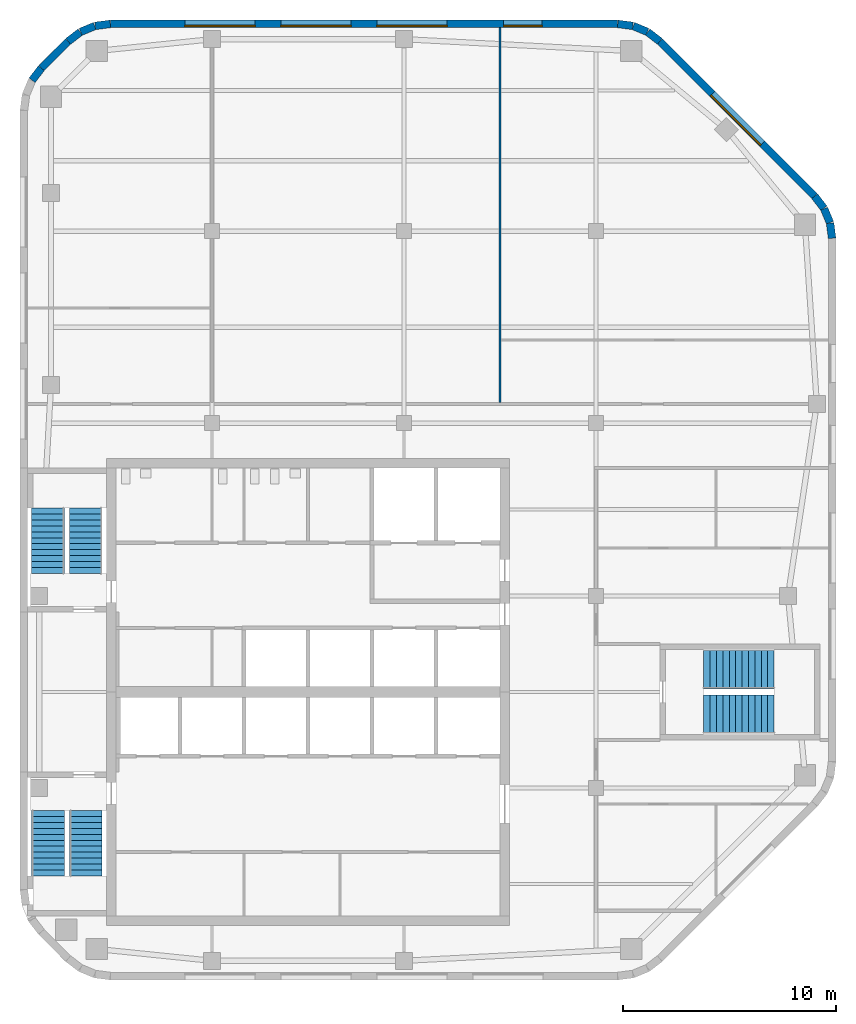
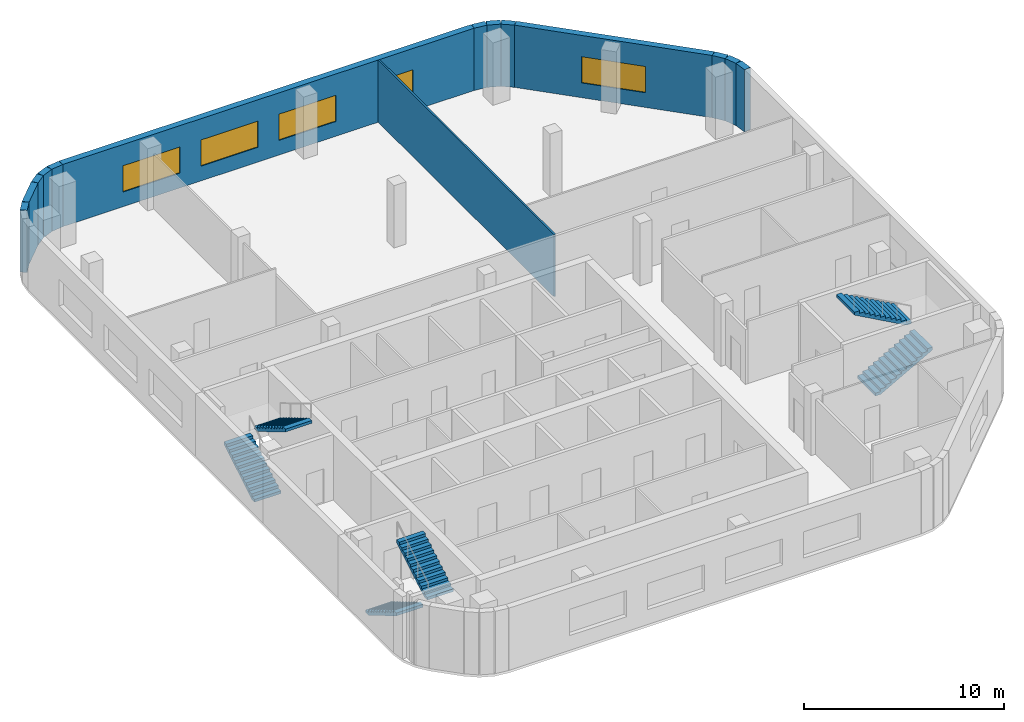
# One storey, part 5 of 7: 14 walls, 6 stair flights, 5 windows, 5 openings, 3 elements without a shape of their own.
"""IFC4 building model written with IfcOpenShell, lengths in metres."""

from ifc_helpers import new_model, si_unit, direction, frame, frame_2d, origin, place, context, subcontext, project, spatial, polyline, rectangle, outline, extrude, material, layer, layer_set, type_object, element, fill, aggregate, save


model = new_model("IFC4")

# Units and contexts
model_context = context("Model", 3, precision=1e-05, world=origin(), true_north=direction((0.0, 1.0)))
body_context = subcontext(model_context, "Body", "Model", "MODEL_VIEW")
ifc_project = project(units=[si_unit("LENGTHUNIT", "METRE"), si_unit("AREAUNIT", "SQUARE_METRE"), si_unit("VOLUMEUNIT", "CUBIC_METRE"), si_unit("PLANEANGLEUNIT", "RADIAN"), si_unit("MASSUNIT", "GRAM", prefix="KILO")], contexts=[model_context])

# Site, building, storey
site_placement = place(None, origin())
site = spatial("IfcSite", under=ifc_project, at=site_placement, CompositionType="ELEMENT")
building_placement = place(site_placement, origin())
building = spatial("IfcBuilding", under=site, at=building_placement, Name="Cinnabar Reach Civic Tower", CompositionType="ELEMENT")
storey_placement = place(building_placement, frame((0.0, 0.0, 279.0)))
storey = spatial("IfcBuildingStorey", under=building, at=storey_placement, Name="L67", CompositionType="ELEMENT", Elevation=279.0)

# Walls
ifc_material_1 = material(Name="Facing brick with insulated backing", Category="masonry")
ifc_layer_1 = layer(ifc_material_1, 0.36)
ifc_layer_set_1 = layer_set([ifc_layer_1], Name="Brick corner wall")
wall_type_1 = type_object("IfcWallType", Name="Brick corner wall", PredefinedType="STANDARD", material=ifc_layer_set_1)
for number, where, z_axis, x_axis, name in (
    (1, (38.067, 52.7686, 0.0), (0.0, 0.0, 1.0), (-0.13055608231, 0.99144092581, 0.0), "Brick corner wall"),
    (2, (37.9681, 53.4973, 0.0), (0.0, 0.0, 1.0), (-0.382702709855, 0.923871547278, 0.0), "Brick corner wall"),
):
    element("IfcWall", number, at=place(storey_placement, frame(where, z_axis=z_axis, x_axis=x_axis)), inside=storey, type_object=wall_type_1, Name=name, PredefinedType="STANDARD", context=body_context, shape_type="SweptSolid", body=[
        extrude(rectangle(XDim=0.7131, YDim=0.36, at=frame_2d((0.3565, 0.0))), origin(), (0.0, 0.0, 1.0), 3.8),
    ])
for number, where, z_axis, x_axis, name in (
    (3, (37.684, 54.1755, 0.0), (0.0, 0.0, 1.0), (-0.608802368033, 0.793321924995, 0.0), "Brick corner wall"),
    (4, (29.9913, 61.9998, 0.0), (0.0, 0.0, 1.0), (-0.793321924995, 0.608802368033, 0.0), "Brick corner wall"),
):
    element("IfcWall", number, at=place(storey_placement, frame(where, z_axis=z_axis, x_axis=x_axis)), inside=storey, type_object=wall_type_1, Name=name, PredefinedType="STANDARD", context=body_context, shape_type="SweptSolid", body=[
        extrude(rectangle(XDim=0.7132, YDim=0.36, at=frame_2d((0.3566, 0.0))), origin(), (0.0, 0.0, 1.0), 3.8),
    ])
for number, where, z_axis, x_axis, name in (
    (5, (29.4061, 62.4452, 0.0), (0.0, 0.0, 1.0), (-0.923871547278, 0.382702709855, 0.0), "Brick corner wall"),
    (6, (28.7256, 62.7239, 0.0), (0.0, 0.0, 1.0), (-0.99144092581, 0.13055608231, 0.0), "Brick corner wall"),
    (7, (4.2314, 62.817, 0.0), (0.0, 0.0, 1.0), (-0.99144092581, -0.13055608231, 0.0), "Brick corner wall"),
    (8, (3.5027, 62.7181, 0.0), (0.0, 0.0, 1.0), (-0.923871547278, -0.382702709855, 0.0), "Brick corner wall"),
):
    element("IfcWall", number, at=place(storey_placement, frame(where, z_axis=z_axis, x_axis=x_axis)), inside=storey, type_object=wall_type_1, Name=name, PredefinedType="STANDARD", context=body_context, shape_type="SweptSolid", body=[
        extrude(rectangle(XDim=0.7131, YDim=0.36, at=frame_2d((0.3565, 0.0))), origin(), (0.0, 0.0, 1.0), 3.8),
    ])
for number, where, z_axis, x_axis, name in (
    (9, (2.8245, 62.434, 0.0), (0.0, 0.0, 1.0), (-0.793321924995, -0.608802368033, 0.0), "Brick corner wall"),
    (10, (1.0002, 60.7413, 0.0), (0.0, 0.0, 1.0), (-0.608802368033, -0.793321924995, 0.0), "Brick corner wall"),
):
    element("IfcWall", number, at=place(storey_placement, frame(where, z_axis=z_axis, x_axis=x_axis)), inside=storey, type_object=wall_type_1, Name=name, PredefinedType="STANDARD", context=body_context, shape_type="SweptSolid", body=[
        extrude(rectangle(XDim=0.7132, YDim=0.36, at=frame_2d((0.3566, 0.0))), origin(), (0.0, 0.0, 1.0), 3.8),
    ])

# Wall, opening, window
ifc_layer_2 = layer(ifc_material_1, 0.36)
ifc_layer_set_2 = layer_set([ifc_layer_2], Name="Brick pier and spandrel wall")
wall_type_2 = type_object("IfcWallType", Name="Brick pier and spandrel wall", PredefinedType="STANDARD", material=ifc_layer_set_2)
wall_1_placement = place(storey_placement, frame((37.244, 54.7514, 0.0), z_axis=(0.0, 0.0, 1.0), x_axis=(-0.707106781187, 0.707106781187, 0.0)))
wall_1 = element("IfcWall", 11, at=wall_1_placement, inside=storey, type_object=wall_type_2, Name="Brick facade wall", PredefinedType="STANDARD", context=body_context, shape_type="SweptSolid", body=[
    extrude(rectangle(XDim=10.2426, YDim=0.36, at=frame_2d((5.1213, 0.0))), origin(), (0.0, 0.0, 1.0), 3.8),
])
opening_1_placement = place(wall_1_placement, frame((3.4713, 0.0, 0.9)))
opening_1 = element("IfcOpeningElement", 12, at=opening_1_placement, cuts=wall_1, Name="Opening W2322", PredefinedType="OPENING", context=body_context, shape_type="SweptSolid", body=[
    extrude(rectangle(XDim=3.3, YDim=1.6, at=frame_2d((1.65, 0.8))), frame((0.0, 0.19, 0.0), z_axis=(0.0, -1.0, 0.0), x_axis=(1.0, 0.0, 0.0)), (0.0, 0.0, 1.0), 0.38),
])
ifc_material_2 = material(Name="Clear double glazing in aluminium frame", Category="aluminium")
window_type_1 = type_object("IfcWindowType", Name="Deep-set window A", PartitioningType="SINGLE_PANEL", PredefinedType="WINDOW", material=ifc_material_2)
window_1_placement = place(opening_1_placement, origin())
window_1 = element("IfcWindow", 13, at=window_1_placement, inside=storey, type_object=window_type_1, Name="Window northeast face", OverallHeight=1.6, OverallWidth=3.3, PartitioningType="SINGLE_PANEL", PredefinedType="WINDOW", context=body_context, shape_type="SweptSolid", body=[
    extrude(rectangle(XDim=3.3, YDim=1.6, at=frame_2d((1.65, 0.8))), frame((0.0, 0.13, 0.0), z_axis=(0.0, -1.0, 0.0), x_axis=(1.0, 0.0, 0.0)), (0.0, 0.0, 1.0), 0.06),
])
fill(opening_1, window_1)

# Wall, openings, windows
wall_2_placement = place(storey_placement, frame((28.0074, 62.82, 0.0), z_axis=(0.0, 0.0, 1.0), x_axis=(-1.0, 0.0, 0.0)))
wall_2 = element("IfcWall", 14, at=wall_2_placement, inside=storey, type_object=wall_type_2, Name="Brick facade wall", PredefinedType="STANDARD", context=body_context, shape_type="SweptSolid", body=[
    extrude(rectangle(XDim=23.7648, YDim=0.36, at=frame_2d((11.8824, 0.0))), origin(), (0.0, 0.0, 1.0), 3.8),
])
opening_2_placement = place(wall_2_placement, frame((3.5324, 0.0, 0.9)))
opening_2 = element("IfcOpeningElement", 15, at=opening_2_placement, cuts=wall_2, Name="Opening W2323", PredefinedType="OPENING", context=body_context, shape_type="SweptSolid", body=[
    extrude(rectangle(XDim=1.8, YDim=1.6, at=frame_2d((0.9, 0.8))), frame((0.0, 0.19, 0.0), z_axis=(0.0, -1.0, 0.0), x_axis=(1.0, 0.0, 0.0)), (0.0, 0.0, 1.0), 0.38),
])
opening_3_placement = place(wall_2_placement, frame((7.9824, 0.0, 0.9)))
opening_3 = element("IfcOpeningElement", 16, at=opening_3_placement, cuts=wall_2, Name="Opening W2324", PredefinedType="OPENING", context=body_context, shape_type="SweptSolid", body=[
    extrude(rectangle(XDim=3.3, YDim=1.6, at=frame_2d((1.65, 0.8))), frame((0.0, 0.19, 0.0), z_axis=(0.0, -1.0, 0.0), x_axis=(1.0, 0.0, 0.0)), (0.0, 0.0, 1.0), 0.38),
])
opening_4_placement = place(wall_2_placement, frame((12.4824, 0.0, 0.9)))
opening_4 = element("IfcOpeningElement", 17, at=opening_4_placement, cuts=wall_2, Name="Opening W2325", PredefinedType="OPENING", context=body_context, shape_type="SweptSolid", body=[
    extrude(rectangle(XDim=3.3, YDim=1.6, at=frame_2d((1.65, 0.8))), frame((0.0, 0.19, 0.0), z_axis=(0.0, -1.0, 0.0), x_axis=(1.0, 0.0, 0.0)), (0.0, 0.0, 1.0), 0.38),
])
opening_5_placement = place(wall_2_placement, frame((16.9824, 0.0, 0.9)))
opening_5 = element("IfcOpeningElement", 18, at=opening_5_placement, cuts=wall_2, Name="Opening W2326", PredefinedType="OPENING", context=body_context, shape_type="SweptSolid", body=[
    extrude(rectangle(XDim=3.3, YDim=1.6, at=frame_2d((1.65, 0.8))), frame((0.0, 0.19, 0.0), z_axis=(0.0, -1.0, 0.0), x_axis=(1.0, 0.0, 0.0)), (0.0, 0.0, 1.0), 0.38),
])
window_2_placement = place(opening_3_placement, origin())
window_2 = element("IfcWindow", 19, at=window_2_placement, inside=storey, type_object=window_type_1, Name="Window north face", OverallHeight=1.6, OverallWidth=3.3, PartitioningType="SINGLE_PANEL", PredefinedType="WINDOW", context=body_context, shape_type="SweptSolid", body=[
    extrude(rectangle(XDim=3.3, YDim=1.6, at=frame_2d((1.65, 0.8))), frame((0.0, 0.13, 0.0), z_axis=(0.0, -1.0, 0.0), x_axis=(1.0, 0.0, 0.0)), (0.0, 0.0, 1.0), 0.06),
])
fill(opening_3, window_2)
window_3_placement = place(opening_4_placement, origin())
window_3 = element("IfcWindow", 20, at=window_3_placement, inside=storey, type_object=window_type_1, Name="Window north face", OverallHeight=1.6, OverallWidth=3.3, PartitioningType="SINGLE_PANEL", PredefinedType="WINDOW", context=body_context, shape_type="SweptSolid", body=[
    extrude(rectangle(XDim=3.3, YDim=1.6, at=frame_2d((1.65, 0.8))), frame((0.0, 0.13, 0.0), z_axis=(0.0, -1.0, 0.0), x_axis=(1.0, 0.0, 0.0)), (0.0, 0.0, 1.0), 0.06),
])
fill(opening_4, window_3)
window_4_placement = place(opening_5_placement, origin())
window_4 = element("IfcWindow", 21, at=window_4_placement, inside=storey, type_object=window_type_1, Name="Window north face", OverallHeight=1.6, OverallWidth=3.3, PartitioningType="SINGLE_PANEL", PredefinedType="WINDOW", context=body_context, shape_type="SweptSolid", body=[
    extrude(rectangle(XDim=3.3, YDim=1.6, at=frame_2d((1.65, 0.8))), frame((0.0, 0.13, 0.0), z_axis=(0.0, -1.0, 0.0), x_axis=(1.0, 0.0, 0.0)), (0.0, 0.0, 1.0), 0.06),
])
fill(opening_5, window_4)
window_type_2 = type_object("IfcWindowType", Name="Deep-set window D", PartitioningType="SINGLE_PANEL", PredefinedType="WINDOW", material=ifc_material_2)
window_5_placement = place(opening_2_placement, origin())
window_5 = element("IfcWindow", 22, at=window_5_placement, inside=storey, type_object=window_type_2, Name="Window north face", OverallHeight=1.6, OverallWidth=1.8, PartitioningType="SINGLE_PANEL", PredefinedType="WINDOW", context=body_context, shape_type="SweptSolid", body=[
    extrude(rectangle(XDim=1.8, YDim=1.6, at=frame_2d((0.9, 0.8))), frame((0.0, 0.13, 0.0), z_axis=(0.0, -1.0, 0.0), x_axis=(1.0, 0.0, 0.0)), (0.0, 0.0, 1.0), 0.06),
])
fill(opening_2, window_5)

# Walls
wall_3_placement = place(storey_placement, frame((2.2486, 61.994, 0.0), z_axis=(0.0, 0.0, 1.0), x_axis=(-0.707106781187, -0.707106781187, 0.0)))
element("IfcWall", 23, at=wall_3_placement, inside=storey, type_object=wall_type_2, Name="Brick facade wall", PredefinedType="STANDARD", context=body_context, shape_type="SweptSolid", body=[
    extrude(rectangle(XDim=1.7573, YDim=0.36, at=frame_2d((0.8787, 0.0))), origin(), (0.0, 0.0, 1.0), 3.8),
])
ifc_material_3 = material(Name="Gypsum board on steel studs", Category="steel")
ifc_layer_3 = layer(ifc_material_3, 0.1)
ifc_layer_set_3 = layer_set([ifc_layer_3], Name="Partition wall 100 T1")
wall_type_3 = type_object("IfcWallType", Name="Partition wall 100 T1", PredefinedType="PARTITIONING", material=ifc_layer_set_3)
wall_4_placement = place(storey_placement, frame((22.5, 45.075, 0.0), z_axis=(0.0, 0.0, 1.0), x_axis=(0.0, 1.0, 0.0)))
element("IfcWall", 24, at=wall_4_placement, inside=storey, type_object=wall_type_3, Name="Partition wall 37", PredefinedType="PARTITIONING", context=body_context, shape_type="SweptSolid", body=[
    extrude(rectangle(XDim=17.565, YDim=0.1, at=frame_2d((8.7825, 0.0))), origin(), (0.0, 0.0, 1.0), 3.8),
])

# Stair, stair flights
ifc_material_4 = material(Name="Concrete C40/50", Category="concrete")
stair_type = type_object("IfcStairType", Name="T1 Exit stair, half-turn", PredefinedType="HALF_TURN_STAIR", material=ifc_material_4)
stair_1_placement = place(storey_placement, origin())
stair_1 = element("IfcStair", 25, at=stair_1_placement, inside=storey, type_object=stair_type, Name="Stair T1-S1", PredefinedType="HALF_TURN_STAIR")
stair_flight_type = type_object("IfcStairFlightType", Name="T1 Stair flight, concrete", PredefinedType="STRAIGHT", material=ifc_material_4)
stair_flight_1_placement = place(storey_placement, frame((1.3125, 25.95, 0.0), z_axis=(0.0, 0.0, 1.0), x_axis=(0.0, -1.0, 0.0)))
stair_flight_1 = element("IfcStairFlight", 26, at=stair_flight_1_placement, type_object=stair_flight_type, Name="T1-S1 flight 1", NumberOfRisers=12, NumberOfTreads=11, PredefinedType="STRAIGHT", RiserHeight=0.166666667, TreadLength=0.28, context=body_context, shape_type="SweptSolid", body=[
    extrude(outline(polyline([(0.0, 0.0), (0.0, 0.1667), (0.28, 0.1667), (0.28, 0.3333), (0.56, 0.3333), (0.56, 0.5), (0.84, 0.5), (0.84, 0.6667), (1.12, 0.6667), (1.12, 0.8333), (1.4, 0.8333), (1.4, 1.0), (1.68, 1.0), (1.68, 1.1667), (1.96, 1.1667), (1.96, 1.3333), (2.24, 1.3333), (2.24, 1.5), (2.52, 1.5), (2.52, 1.6667), (2.8, 1.6667), (2.8, 1.8333), (3.08, 1.8333), (3.08, 2.0), (3.08, 1.6588), (0.2933, 0.0), (0.0, 0.0)])), frame((0.0, 0.7625, 0.0), z_axis=(0.0, -1.0, 0.0), x_axis=(1.0, 0.0, 0.0)), (0.0, 0.0, 1.0), 1.525),
])
stair_flight_2_placement = place(storey_placement, frame((3.0875, 22.87, 2.0), z_axis=(0.0, 0.0, 1.0), x_axis=(0.0, 1.0, 0.0)))
stair_flight_2 = element("IfcStairFlight", 27, at=stair_flight_2_placement, type_object=stair_flight_type, Name="T1-S1 flight 2", NumberOfRisers=12, NumberOfTreads=11, PredefinedType="STRAIGHT", RiserHeight=0.166666667, TreadLength=0.28, context=body_context, shape_type="SweptSolid", body=[
    extrude(outline(polyline([(0.0, 0.0), (0.0, 0.1667), (0.28, 0.1667), (0.28, 0.3333), (0.56, 0.3333), (0.56, 0.5), (0.84, 0.5), (0.84, 0.6667), (1.12, 0.6667), (1.12, 0.8333), (1.4, 0.8333), (1.4, 1.0), (1.68, 1.0), (1.68, 1.1667), (1.96, 1.1667), (1.96, 1.3333), (2.24, 1.3333), (2.24, 1.5), (2.52, 1.5), (2.52, 1.6667), (2.8, 1.6667), (2.8, 1.8333), (3.08, 1.8333), (3.08, 2.0), (3.08, 1.6588), (0.2933, 0.0), (0.0, 0.0)])), frame((0.0, 0.7625, 0.0), z_axis=(0.0, -1.0, 0.0), x_axis=(1.0, 0.0, 0.0)), (0.0, 0.0, 1.0), 1.525),
])
aggregate(stair_1, [stair_flight_1, stair_flight_2])

stair_2_placement = place(storey_placement, origin())
stair_2 = element("IfcStair", 28, at=stair_2_placement, inside=storey, type_object=stair_type, Name="Stair T1-S2", PredefinedType="HALF_TURN_STAIR")
stair_flight_3_placement = place(storey_placement, frame((1.3125, 37.05, 0.0), z_axis=(0.0, 0.0, 1.0), x_axis=(0.0, 1.0, 0.0)))
stair_flight_3 = element("IfcStairFlight", 29, at=stair_flight_3_placement, type_object=stair_flight_type, Name="T1-S2 flight 1", NumberOfRisers=12, NumberOfTreads=11, PredefinedType="STRAIGHT", RiserHeight=0.166666667, TreadLength=0.28, context=body_context, shape_type="SweptSolid", body=[
    extrude(outline(polyline([(0.0, 0.0), (0.0, 0.1667), (0.28, 0.1667), (0.28, 0.3333), (0.56, 0.3333), (0.56, 0.5), (0.84, 0.5), (0.84, 0.6667), (1.12, 0.6667), (1.12, 0.8333), (1.4, 0.8333), (1.4, 1.0), (1.68, 1.0), (1.68, 1.1667), (1.96, 1.1667), (1.96, 1.3333), (2.24, 1.3333), (2.24, 1.5), (2.52, 1.5), (2.52, 1.6667), (2.8, 1.6667), (2.8, 1.8333), (3.08, 1.8333), (3.08, 2.0), (3.08, 1.6588), (0.2933, 0.0), (0.0, 0.0)])), frame((0.0, 0.7625, 0.0), z_axis=(0.0, -1.0, 0.0), x_axis=(1.0, 0.0, 0.0)), (0.0, 0.0, 1.0), 1.525),
])
stair_flight_4_placement = place(storey_placement, frame((3.0875, 40.13, 2.0), z_axis=(0.0, 0.0, 1.0), x_axis=(0.0, -1.0, 0.0)))
stair_flight_4 = element("IfcStairFlight", 30, at=stair_flight_4_placement, type_object=stair_flight_type, Name="T1-S2 flight 2", NumberOfRisers=12, NumberOfTreads=11, PredefinedType="STRAIGHT", RiserHeight=0.166666667, TreadLength=0.28, context=body_context, shape_type="SweptSolid", body=[
    extrude(outline(polyline([(0.0, 0.0), (0.0, 0.1667), (0.28, 0.1667), (0.28, 0.3333), (0.56, 0.3333), (0.56, 0.5), (0.84, 0.5), (0.84, 0.6667), (1.12, 0.6667), (1.12, 0.8333), (1.4, 0.8333), (1.4, 1.0), (1.68, 1.0), (1.68, 1.1667), (1.96, 1.1667), (1.96, 1.3333), (2.24, 1.3333), (2.24, 1.5), (2.52, 1.5), (2.52, 1.6667), (2.8, 1.6667), (2.8, 1.8333), (3.08, 1.8333), (3.08, 2.0), (3.08, 1.6588), (0.2933, 0.0), (0.0, 0.0)])), frame((0.0, 0.7625, 0.0), z_axis=(0.0, -1.0, 0.0), x_axis=(1.0, 0.0, 0.0)), (0.0, 0.0, 1.0), 1.525),
])
aggregate(stair_2, [stair_flight_3, stair_flight_4])

stair_3_placement = place(storey_placement, origin())
stair_3 = element("IfcStair", 31, at=stair_3_placement, inside=storey, type_object=stair_type, Name="Stair T1-S3", PredefinedType="HALF_TURN_STAIR")
stair_flight_5_placement = place(storey_placement, frame((32.05, 30.45, 0.0), z_axis=(0.0, 0.0, 1.0), x_axis=(1.0, 0.0, 0.0)))
stair_flight_5 = element("IfcStairFlight", 32, at=stair_flight_5_placement, type_object=stair_flight_type, Name="T1-S3 flight 1", NumberOfRisers=12, NumberOfTreads=11, PredefinedType="STRAIGHT", RiserHeight=0.166666667, TreadLength=0.3, context=body_context, shape_type="SweptSolid", body=[
    extrude(outline(polyline([(0.0, 0.0), (0.0, 0.1667), (0.3, 0.1667), (0.3, 0.3333), (0.6, 0.3333), (0.6, 0.5), (0.9, 0.5), (0.9, 0.6667), (1.2, 0.6667), (1.2, 0.8333), (1.5, 0.8333), (1.5, 1.0), (1.8, 1.0), (1.8, 1.1667), (2.1, 1.1667), (2.1, 1.3333), (2.4, 1.3333), (2.4, 1.5), (2.7, 1.5), (2.7, 1.6667), (3.0, 1.6667), (3.0, 1.8333), (3.3, 1.8333), (3.3, 2.0), (3.3, 1.6617), (0.3089, 0.0), (0.0, 0.0)])), frame((0.0, 0.9, 0.0), z_axis=(0.0, -1.0, 0.0), x_axis=(1.0, 0.0, 0.0)), (0.0, 0.0, 1.0), 1.8),
])
stair_flight_6_placement = place(storey_placement, frame((35.35, 32.55, 2.0), z_axis=(0.0, 0.0, 1.0), x_axis=(-1.0, 0.0, 0.0)))
stair_flight_6 = element("IfcStairFlight", 33, at=stair_flight_6_placement, type_object=stair_flight_type, Name="T1-S3 flight 2", NumberOfRisers=12, NumberOfTreads=11, PredefinedType="STRAIGHT", RiserHeight=0.166666667, TreadLength=0.3, context=body_context, shape_type="SweptSolid", body=[
    extrude(outline(polyline([(0.0, 0.0), (0.0, 0.1667), (0.3, 0.1667), (0.3, 0.3333), (0.6, 0.3333), (0.6, 0.5), (0.9, 0.5), (0.9, 0.6667), (1.2, 0.6667), (1.2, 0.8333), (1.5, 0.8333), (1.5, 1.0), (1.8, 1.0), (1.8, 1.1667), (2.1, 1.1667), (2.1, 1.3333), (2.4, 1.3333), (2.4, 1.5), (2.7, 1.5), (2.7, 1.6667), (3.0, 1.6667), (3.0, 1.8333), (3.3, 1.8333), (3.3, 2.0), (3.3, 1.6617), (0.3089, 0.0), (0.0, 0.0)])), frame((0.0, 0.9, 0.0), z_axis=(0.0, -1.0, 0.0), x_axis=(1.0, 0.0, 0.0)), (0.0, 0.0, 1.0), 1.8),
])
aggregate(stair_3, [stair_flight_5, stair_flight_6])

save(model, "model.ifc")
